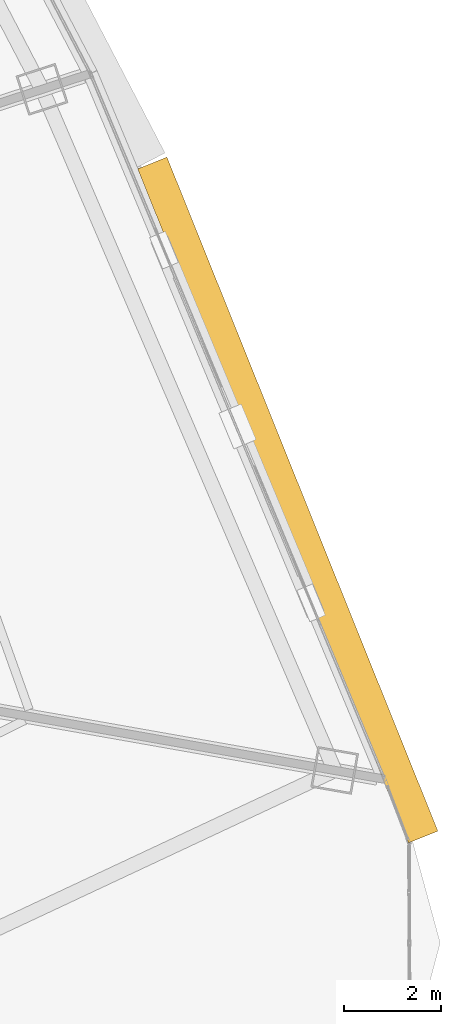
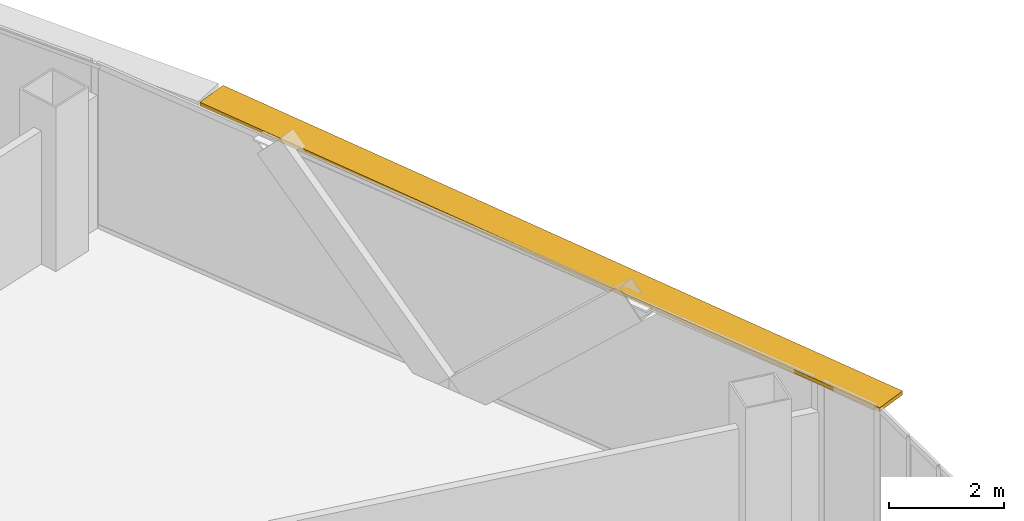
# One storey, part 36 of 36: 1 shading device.
"""IFC4 building model written with IfcOpenShell, lengths in metres."""

from ifc_helpers import new_model, si_unit, direction, frame, origin, origin_2d, place, context, subcontext, project, spatial, rectangle, extrude, source, transform, mapped, material, layer, layer_set, type_object, element, save


model = new_model("IFC4")

# Units and contexts
model_context = context("Model", 3, precision=1e-05, world=origin(), true_north=direction((0.0, 1.0)))
body_context = subcontext(model_context, "Body", "Model", "MODEL_VIEW")
ifc_project = project(units=[si_unit("LENGTHUNIT", "METRE"), si_unit("AREAUNIT", "SQUARE_METRE"), si_unit("VOLUMEUNIT", "CUBIC_METRE"), si_unit("PLANEANGLEUNIT", "RADIAN"), si_unit("MASSUNIT", "GRAM", prefix="KILO"), si_unit("THERMODYNAMICTEMPERATUREUNIT", "KELVIN"), si_unit("POWERUNIT", "WATT")], contexts=[model_context])

# Site, building, storey
site_placement = place(None, origin())
site = spatial("IfcSite", under=ifc_project, at=site_placement, CompositionType="ELEMENT")
building_placement = place(site_placement, origin())
building = spatial("IfcBuilding", under=site, at=building_placement, Name="Yunzhuo Pagoda Commons", CompositionType="ELEMENT")
storey_placement = place(building_placement, frame((0.0, 0.0, 263.179931640625)))
storey = spatial("IfcBuildingStorey", under=building, at=storey_placement, Name="L66", CompositionType="ELEMENT", Elevation=263.179931640625)

# Shading device
ifc_material = material(Name="Anodized aluminium 6063-T6", Category="aluminium")
ifc_layer = layer(ifc_material, 0.080078125)
ifc_layer_set = layer_set([ifc_layer], Name="Anodized aluminium 6063-T6")
shading_device_type = type_object("IfcShadingDeviceType", Name="SH-SUN1 Pagoda Horizontal Sunshade Eave 650", PredefinedType="USERDEFINED", material=ifc_layer_set)
shared_shape = source(origin(), body_context, "Body", "SweptSolid", [
    extrude(rectangle(XDim=14.98095703125, YDim=0.64990234375, at=origin_2d()), origin(), (0.0, 0.0, 1.0), 0.080078125),
])
shading_device_placement = place(storey_placement, frame((78.9677734375, 33.64599609375, 3.39013671875), z_axis=(0.0, 0.0, 1.0), x_axis=(-0.372987782576, 0.927836253899, 0.0)))
element("IfcShadingDevice", 1, at=shading_device_placement, inside=storey, type_object=shading_device_type, Name="L66 horizontal pagoda sunshade eave F2.1", ObjectType="SUNSHADE", PredefinedType="USERDEFINED", context=body_context, shape_type="MappedRepresentation", body=[
    mapped(shared_shape, transform((0.0, 0.0, 0.0), scale=1.0)),
])

save(model, "model.ifc")
